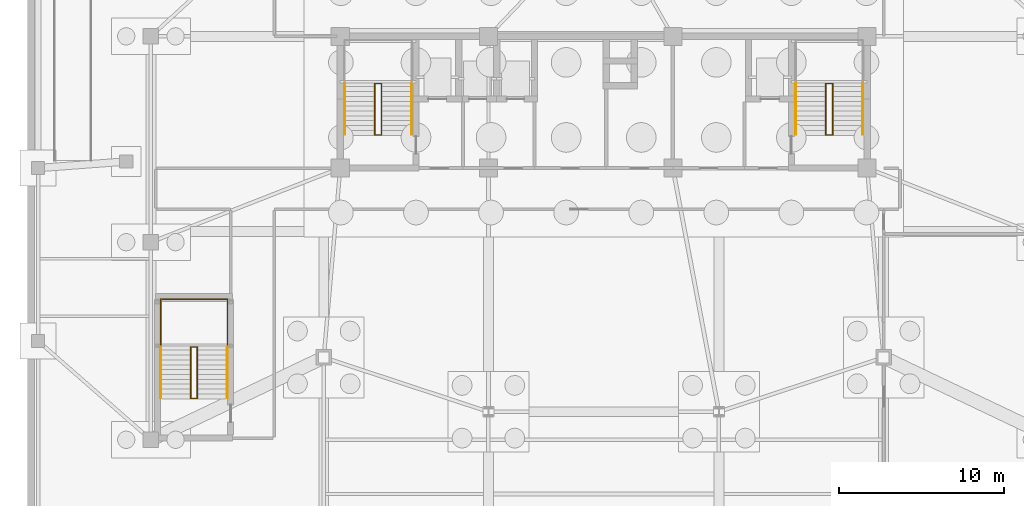
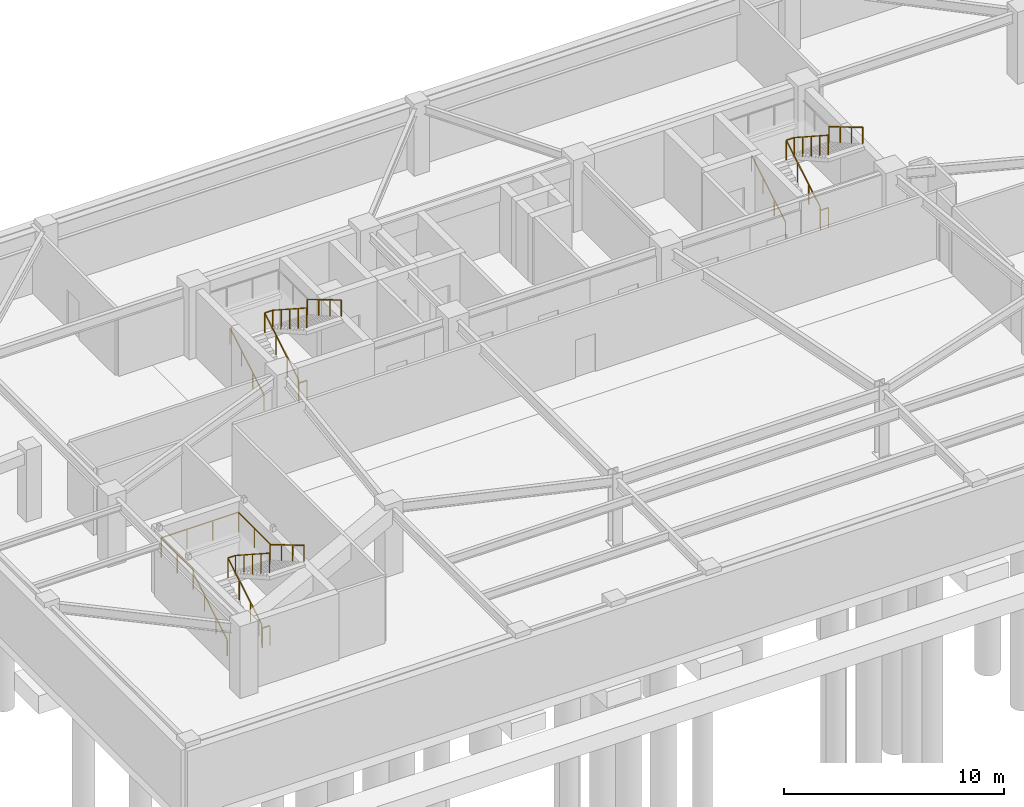
# One storey, part 8 of 10: 13 railings.
"""IFC4 building model written with IfcOpenShell, lengths in metres."""

from ifc_helpers import new_model, si_unit, direction, frame, origin, origin_2d, place, context, subcontext, project, spatial, rectangle, extrude, material, layer, layer_set, type_object, element, save


model = new_model("IFC4")

# Units and contexts
model_context = context("Model", 3, precision=1e-05, world=origin(), true_north=direction((0.0, 1.0)))
body_context = subcontext(model_context, "Body", "Model", "MODEL_VIEW")
ifc_project = project(units=[si_unit("LENGTHUNIT", "METRE"), si_unit("AREAUNIT", "SQUARE_METRE"), si_unit("VOLUMEUNIT", "CUBIC_METRE"), si_unit("PLANEANGLEUNIT", "RADIAN"), si_unit("MASSUNIT", "GRAM", prefix="KILO")], contexts=[model_context])

# Site, building, storey
site_placement = place(None, origin())
site = spatial("IfcSite", under=ifc_project, at=site_placement, CompositionType="ELEMENT")
building_placement = place(site_placement, origin())
building = spatial("IfcBuilding", under=site, at=building_placement, Name="Taldren Reach Tower", CompositionType="ELEMENT")
storey_placement = place(building_placement, frame((0.0, 0.0, -8.0)))
storey = spatial("IfcBuildingStorey", under=building, at=storey_placement, Name="B2", CompositionType="ELEMENT", Elevation=-8.0)

# Railings
ifc_material_1 = material(Name="Steel Gr 350 (C350L0)", Category="steel")
ifc_layer_1 = layer(ifc_material_1, 0.050048828125)
ifc_layer_set_1 = layer_set([ifc_layer_1], Name="Steel Gr 350 (C350L0)")
railing_type_1 = type_object("IfcRailingType", Name="RL-STAIR-GR", PredefinedType="GUARDRAIL", material=ifc_layer_set_1)
railing_1_placement = place(storey_placement, frame((21.090087890625, 26.050048828125, 0.166748046875)))
element("IfcRailing", 1, at=railing_1_placement, inside=storey, type_object=railing_type_1, Name="Stairwell inner guard ST1-B2", PredefinedType="GUARDRAIL", context=body_context, shape_type="SweptSolid", body=[
    extrude(rectangle(XDim=0.047852, YDim=0.047852, at=origin_2d()), frame((0.0, 0.0, 1.09619140625), z_axis=(0.0, 0.859664290046, 0.510859382238), x_axis=(-1.0, 0.0, 0.0)), (0.0, 0.0, 1.0), 3.588623046875),
    extrude(rectangle(XDim=0.047852, YDim=0.047852, at=origin_2d()), frame((0.0, 3.0849609375, 2.92919921875), z_axis=(1.0, 0.0, 0.0), x_axis=(0.0, 1.0, 0.0)), (0.0, 0.0, 1.0), 0.419921875),
    extrude(rectangle(XDim=0.047852, YDim=0.047852, at=origin_2d()), frame((0.419921875, 3.0849609375, 2.92919921875), z_axis=(0.0, -0.839092365422, 0.543988972581), x_axis=(1.0, 0.0, 0.0)), (0.0, 0.0, 1.0), 3.676513671875),
    extrude(rectangle(XDim=0.041992, YDim=0.041992, at=origin_2d()), origin(), (0.0, 0.0, 1.0), 1.072021484375),
    extrude(rectangle(XDim=0.041992, YDim=0.041992, at=origin_2d()), frame((0.0, 1.0283203125, 0.611083984375)), (0.0, 0.0, 1.0), 1.072021484375),
    extrude(rectangle(XDim=0.041992, YDim=0.041992, at=origin_2d()), frame((0.0, 2.056640625, 1.22216796875)), (0.0, 0.0, 1.0), 1.072021484375),
    extrude(rectangle(XDim=0.041992, YDim=0.041992, at=origin_2d()), frame((0.0, 3.0849609375, 1.833251953125)), (0.0, 0.0, 1.0), 1.072021484375),
    extrude(rectangle(XDim=0.041992, YDim=0.041992, at=origin_2d()), frame((0.419921875, 3.0849609375, 1.833251953125)), (0.0, 0.0, 1.0), 1.072021484375),
    extrude(rectangle(XDim=0.041992, YDim=0.041992, at=origin_2d()), frame((0.419921875, 2.313720703125, 2.333251953125)), (0.0, 0.0, 1.0), 1.072021484375),
    extrude(rectangle(XDim=0.041992, YDim=0.041992, at=origin_2d()), frame((0.419921875, 1.54248046875, 2.833251953125)), (0.0, 0.0, 1.0), 1.072021484375),
    extrude(rectangle(XDim=0.041992, YDim=0.041992, at=origin_2d()), frame((0.419921875, 0.771240234375, 3.333251953125)), (0.0, 0.0, 1.0), 1.072021484375),
    extrude(rectangle(XDim=0.041992, YDim=0.041992, at=origin_2d()), frame((0.419921875, 0.0, 3.833251953125)), (0.0, 0.0, 1.0), 1.072021484375),
])
railing_2_placement = place(storey_placement, frame((21.090087890625, 26.010009765625, 0.0)))
element("IfcRailing", 2, at=railing_2_placement, inside=storey, type_object=railing_type_1, Name="Stairwell landing slot guard ST1-B2", PredefinedType="GUARDRAIL", context=body_context, shape_type="SweptSolid", body=[
    extrude(rectangle(XDim=0.047852, YDim=0.047852, at=origin_2d()), frame((0.0, 0.0, 1.09619140625), z_axis=(1.0, 0.0, 0.0), x_axis=(0.0, 1.0, 0.0)), (0.0, 0.0, 1.0), 0.419921875),
    extrude(rectangle(XDim=0.041992, YDim=0.041992, at=origin_2d()), origin(), (0.0, 0.0, 1.0), 1.072021484375),
    extrude(rectangle(XDim=0.041992, YDim=0.041992, at=origin_2d()), frame((0.419921875, 0.0, 0.0)), (0.0, 0.0, 1.0), 1.072021484375),
])
railing_3_placement = place(storey_placement, frame((48.489990234375, 26.050048828125, 0.166748046875)))
element("IfcRailing", 3, at=railing_3_placement, inside=storey, type_object=railing_type_1, Name="Stairwell inner guard ST2-B2", PredefinedType="GUARDRAIL", context=body_context, shape_type="SweptSolid", body=[
    extrude(rectangle(XDim=0.047852, YDim=0.047852, at=origin_2d()), frame((0.0, 0.0, 1.09619140625), z_axis=(0.0, 0.859664290046, 0.510859382238), x_axis=(-1.0, 0.0, 0.0)), (0.0, 0.0, 1.0), 3.588623046875),
    extrude(rectangle(XDim=0.047852, YDim=0.047852, at=origin_2d()), frame((0.0, 3.0849609375, 2.92919921875), z_axis=(1.0, 0.0, 0.0), x_axis=(0.0, 1.0, 0.0)), (0.0, 0.0, 1.0), 0.419921875),
    extrude(rectangle(XDim=0.047852, YDim=0.047852, at=origin_2d()), frame((0.419921875, 3.0849609375, 2.92919921875), z_axis=(0.0, -0.839092365422, 0.543988972581), x_axis=(1.0, 0.0, 0.0)), (0.0, 0.0, 1.0), 3.676513671875),
    extrude(rectangle(XDim=0.041992, YDim=0.041992, at=origin_2d()), origin(), (0.0, 0.0, 1.0), 1.072021484375),
    extrude(rectangle(XDim=0.041992, YDim=0.041992, at=origin_2d()), frame((0.0, 1.0283203125, 0.611083984375)), (0.0, 0.0, 1.0), 1.072021484375),
    extrude(rectangle(XDim=0.041992, YDim=0.041992, at=origin_2d()), frame((0.0, 2.056640625, 1.22216796875)), (0.0, 0.0, 1.0), 1.072021484375),
    extrude(rectangle(XDim=0.041992, YDim=0.041992, at=origin_2d()), frame((0.0, 3.0849609375, 1.833251953125)), (0.0, 0.0, 1.0), 1.072021484375),
    extrude(rectangle(XDim=0.041992, YDim=0.041992, at=origin_2d()), frame((0.419921875, 3.0849609375, 1.833251953125)), (0.0, 0.0, 1.0), 1.072021484375),
    extrude(rectangle(XDim=0.041992, YDim=0.041992, at=origin_2d()), frame((0.419921875, 2.313720703125, 2.333251953125)), (0.0, 0.0, 1.0), 1.072021484375),
    extrude(rectangle(XDim=0.041992, YDim=0.041992, at=origin_2d()), frame((0.419921875, 1.54248046875, 2.833251953125)), (0.0, 0.0, 1.0), 1.072021484375),
    extrude(rectangle(XDim=0.041992, YDim=0.041992, at=origin_2d()), frame((0.419921875, 0.771240234375, 3.333251953125)), (0.0, 0.0, 1.0), 1.072021484375),
    extrude(rectangle(XDim=0.041992, YDim=0.041992, at=origin_2d()), frame((0.419921875, 0.0, 3.833251953125)), (0.0, 0.0, 1.0), 1.072021484375),
])
railing_4_placement = place(storey_placement, frame((48.489990234375, 26.010009765625, 0.0)))
element("IfcRailing", 4, at=railing_4_placement, inside=storey, type_object=railing_type_1, Name="Stairwell landing slot guard ST2-B2", PredefinedType="GUARDRAIL", context=body_context, shape_type="SweptSolid", body=[
    extrude(rectangle(XDim=0.047852, YDim=0.047852, at=origin_2d()), frame((0.0, 0.0, 1.09619140625), z_axis=(1.0, 0.0, 0.0), x_axis=(0.0, 1.0, 0.0)), (0.0, 0.0, 1.0), 0.419921875),
    extrude(rectangle(XDim=0.041992, YDim=0.041992, at=origin_2d()), origin(), (0.0, 0.0, 1.0), 1.072021484375),
    extrude(rectangle(XDim=0.041992, YDim=0.041992, at=origin_2d()), frame((0.419921875, 0.0, 0.0)), (0.0, 0.0, 1.0), 1.072021484375),
])
railing_5_placement = place(storey_placement, frame((8.090087890625, 13.135009765625, 2.0)))
element("IfcRailing", 5, at=railing_5_placement, inside=storey, type_object=railing_type_1, Name="Stair half-landing perimeter guard ST3-B2", PredefinedType="GUARDRAIL", context=body_context, shape_type="SweptSolid", body=[
    extrude(rectangle(XDim=0.047852, YDim=0.047852, at=origin_2d()), frame((0.0, 0.0, 1.09619140625), z_axis=(0.0, 1.0, 0.0), x_axis=(-1.0, 0.0, 0.0)), (0.0, 0.0, 1.0), 2.905029296875),
    extrude(rectangle(XDim=0.047852, YDim=0.047852, at=origin_2d()), frame((0.0, 2.905029296875, 1.09619140625), z_axis=(1.0, 0.0, 0.0), x_axis=(0.0, 1.0, 0.0)), (0.0, 0.0, 1.0), 4.059814453125),
    extrude(rectangle(XDim=0.047852, YDim=0.047852, at=origin_2d()), frame((4.059814453125, 2.905029296875, 1.09619140625), z_axis=(0.0, -1.0, 0.0), x_axis=(1.0, 0.0, 0.0)), (0.0, 0.0, 1.0), 2.905029296875),
    extrude(rectangle(XDim=0.041992, YDim=0.041992, at=origin_2d()), origin(), (0.0, 0.0, 1.0), 1.072021484375),
    extrude(rectangle(XDim=0.041992, YDim=0.041992, at=origin_2d()), frame((0.0, 1.45263671875, 0.0)), (0.0, 0.0, 1.0), 1.072021484375),
    extrude(rectangle(XDim=0.041992, YDim=0.041992, at=origin_2d()), frame((0.0, 2.905029296875, 0.0)), (0.0, 0.0, 1.0), 1.072021484375),
    extrude(rectangle(XDim=0.041992, YDim=0.041992, at=origin_2d()), frame((1.353271484375, 2.905029296875, 0.0)), (0.0, 0.0, 1.0), 1.072021484375),
    extrude(rectangle(XDim=0.041992, YDim=0.041992, at=origin_2d()), frame((2.70654296875, 2.905029296875, 0.0)), (0.0, 0.0, 1.0), 1.072021484375),
    extrude(rectangle(XDim=0.041992, YDim=0.041992, at=origin_2d()), frame((4.059814453125, 2.905029296875, 0.0)), (0.0, 0.0, 1.0), 1.072021484375),
    extrude(rectangle(XDim=0.041992, YDim=0.041992, at=origin_2d()), frame((4.059814453125, 1.45263671875, 0.0)), (0.0, 0.0, 1.0), 1.072021484375),
    extrude(rectangle(XDim=0.041992, YDim=0.041992, at=origin_2d()), frame((4.059814453125, 0.0, 0.0)), (0.0, 0.0, 1.0), 1.072021484375),
])
railing_6_placement = place(storey_placement, frame((9.919921875, 10.050048828125, 0.166748046875)))
element("IfcRailing", 6, at=railing_6_placement, inside=storey, type_object=railing_type_1, Name="Stairwell inner guard ST3-B2", PredefinedType="GUARDRAIL", context=body_context, shape_type="SweptSolid", body=[
    extrude(rectangle(XDim=0.047852, YDim=0.047852, at=origin_2d()), frame((0.0, 0.0, 1.09619140625), z_axis=(0.0, 0.859664290046, 0.510859382238), x_axis=(-1.0, 0.0, 0.0)), (0.0, 0.0, 1.0), 3.588623046875),
    extrude(rectangle(XDim=0.047852, YDim=0.047852, at=origin_2d()), frame((0.0, 3.0849609375, 2.92919921875), z_axis=(1.0, 0.0, 0.0), x_axis=(0.0, 1.0, 0.0)), (0.0, 0.0, 1.0), 0.400146484375),
    extrude(rectangle(XDim=0.047852, YDim=0.047852, at=origin_2d()), frame((0.400146484375, 3.0849609375, 2.92919921875), z_axis=(0.0, -0.839092365422, 0.543988972581), x_axis=(1.0, 0.0, 0.0)), (0.0, 0.0, 1.0), 3.676513671875),
    extrude(rectangle(XDim=0.041992, YDim=0.041992, at=origin_2d()), origin(), (0.0, 0.0, 1.0), 1.072021484375),
    extrude(rectangle(XDim=0.041992, YDim=0.041992, at=origin_2d()), frame((0.0, 1.0283203125, 0.611083984375)), (0.0, 0.0, 1.0), 1.072021484375),
    extrude(rectangle(XDim=0.041992, YDim=0.041992, at=origin_2d()), frame((0.0, 2.056640625, 1.22216796875)), (0.0, 0.0, 1.0), 1.072021484375),
    extrude(rectangle(XDim=0.041992, YDim=0.041992, at=origin_2d()), frame((0.0, 3.0849609375, 1.833251953125)), (0.0, 0.0, 1.0), 1.072021484375),
    extrude(rectangle(XDim=0.041992, YDim=0.041992, at=origin_2d()), frame((0.400146484375, 3.0849609375, 1.833251953125)), (0.0, 0.0, 1.0), 1.072021484375),
    extrude(rectangle(XDim=0.041992, YDim=0.041992, at=origin_2d()), frame((0.400146484375, 2.313720703125, 2.333251953125)), (0.0, 0.0, 1.0), 1.072021484375),
    extrude(rectangle(XDim=0.041992, YDim=0.041992, at=origin_2d()), frame((0.400146484375, 1.54248046875, 2.833251953125)), (0.0, 0.0, 1.0), 1.072021484375),
    extrude(rectangle(XDim=0.041992, YDim=0.041992, at=origin_2d()), frame((0.400146484375, 0.771240234375, 3.333251953125)), (0.0, 0.0, 1.0), 1.072021484375),
    extrude(rectangle(XDim=0.041992, YDim=0.041992, at=origin_2d()), frame((0.400146484375, 0.0, 3.833251953125)), (0.0, 0.0, 1.0), 1.072021484375),
])
railing_7_placement = place(storey_placement, frame((9.919921875, 10.010009765625, 0.0)))
element("IfcRailing", 7, at=railing_7_placement, inside=storey, type_object=railing_type_1, Name="Stairwell landing slot guard ST3-B2", PredefinedType="GUARDRAIL", context=body_context, shape_type="SweptSolid", body=[
    extrude(rectangle(XDim=0.047852, YDim=0.047852, at=origin_2d()), frame((0.0, 0.0, 1.09619140625), z_axis=(1.0, 0.0, 0.0), x_axis=(0.0, 1.0, 0.0)), (0.0, 0.0, 1.0), 0.400146484375),
    extrude(rectangle(XDim=0.041992, YDim=0.041992, at=origin_2d()), origin(), (0.0, 0.0, 1.0), 1.072021484375),
    extrude(rectangle(XDim=0.041992, YDim=0.041992, at=origin_2d()), frame((0.400146484375, 0.0, 0.0)), (0.0, 0.0, 1.0), 1.072021484375),
])
ifc_material_2 = material(Name="Stainless Steel Gr 316", Category="steel")
ifc_layer_2 = layer(ifc_material_2, 0.048095703125)
ifc_layer_set_2 = layer_set([ifc_layer_2], Name="Stainless Steel Gr 316")
railing_type_2 = type_object("IfcRailingType", Name="RL-STAIR-HR", PredefinedType="HANDRAIL", material=ifc_layer_set_2)
railing_8_placement = place(storey_placement, frame((19.27001953125, 26.050048828125, 0.166748046875)))
element("IfcRailing", 8, at=railing_8_placement, inside=storey, type_object=railing_type_2, Name="Stair flight handrail ST1-B2-1", PredefinedType="HANDRAIL", context=body_context, shape_type="SweptSolid", body=[
    extrude(rectangle(XDim=0.047852, YDim=0.047852, at=origin_2d()), frame((0.0, 0.0, 0.89599609375), z_axis=(0.0, 0.859664290046, 0.510859382238), x_axis=(-1.0, 0.0, 0.0)), (0.0, 0.0, 1.0), 3.588623046875),
    extrude(rectangle(XDim=0.041992, YDim=0.041992, at=origin_2d()), origin(), (0.0, 0.0, 1.0), 0.871826171875),
    extrude(rectangle(XDim=0.041992, YDim=0.041992, at=origin_2d()), frame((0.0, 1.0283203125, 0.611083984375)), (0.0, 0.0, 1.0), 0.871826171875),
    extrude(rectangle(XDim=0.041992, YDim=0.041992, at=origin_2d()), frame((0.0, 2.056640625, 1.22216796875)), (0.0, 0.0, 1.0), 0.871826171875),
    extrude(rectangle(XDim=0.041992, YDim=0.041992, at=origin_2d()), frame((0.0, 3.0849609375, 1.833251953125)), (0.0, 0.0, 1.0), 0.871826171875),
])
railing_9_placement = place(storey_placement, frame((23.330078125, 29.135009765625, 2.166748046875)))
element("IfcRailing", 9, at=railing_9_placement, inside=storey, type_object=railing_type_2, Name="Stair flight handrail ST1-B2-2", PredefinedType="HANDRAIL", context=body_context, shape_type="SweptSolid", body=[
    extrude(rectangle(XDim=0.047852, YDim=0.047852, at=origin_2d()), frame((0.0, 0.0, 0.89599609375), z_axis=(0.0, -0.859664290046, 0.510859382238), x_axis=(1.0, 0.0, 0.0)), (0.0, 0.0, 1.0), 3.588623046875),
    extrude(rectangle(XDim=0.041992, YDim=0.041992, at=origin_2d()), origin(), (0.0, 0.0, 1.0), 0.871826171875),
    extrude(rectangle(XDim=0.041992, YDim=0.041992, at=origin_2d()), frame((0.0, -1.0283203125, 0.611083984375)), (0.0, 0.0, 1.0), 0.871826171875),
    extrude(rectangle(XDim=0.041992, YDim=0.041992, at=origin_2d()), frame((0.0, -2.056640625, 1.22216796875)), (0.0, 0.0, 1.0), 0.871826171875),
    extrude(rectangle(XDim=0.041992, YDim=0.041992, at=origin_2d()), frame((0.0, -3.0849609375, 1.833251953125)), (0.0, 0.0, 1.0), 0.871826171875),
])
railing_10_placement = place(storey_placement, frame((46.669921875, 26.050048828125, 0.166748046875)))
element("IfcRailing", 10, at=railing_10_placement, inside=storey, type_object=railing_type_2, Name="Stair flight handrail ST2-B2-1", PredefinedType="HANDRAIL", context=body_context, shape_type="SweptSolid", body=[
    extrude(rectangle(XDim=0.047852, YDim=0.047852, at=origin_2d()), frame((0.0, 0.0, 0.89599609375), z_axis=(0.0, 0.859664290046, 0.510859382238), x_axis=(-1.0, 0.0, 0.0)), (0.0, 0.0, 1.0), 3.588623046875),
    extrude(rectangle(XDim=0.041992, YDim=0.041992, at=origin_2d()), origin(), (0.0, 0.0, 1.0), 0.871826171875),
    extrude(rectangle(XDim=0.041992, YDim=0.041992, at=origin_2d()), frame((0.0, 1.0283203125, 0.611083984375)), (0.0, 0.0, 1.0), 0.871826171875),
    extrude(rectangle(XDim=0.041992, YDim=0.041992, at=origin_2d()), frame((0.0, 2.056640625, 1.22216796875)), (0.0, 0.0, 1.0), 0.871826171875),
    extrude(rectangle(XDim=0.041992, YDim=0.041992, at=origin_2d()), frame((0.0, 3.0849609375, 1.833251953125)), (0.0, 0.0, 1.0), 0.871826171875),
])
railing_11_placement = place(storey_placement, frame((50.72998046875, 29.135009765625, 2.166748046875)))
element("IfcRailing", 11, at=railing_11_placement, inside=storey, type_object=railing_type_2, Name="Stair flight handrail ST2-B2-2", PredefinedType="HANDRAIL", context=body_context, shape_type="SweptSolid", body=[
    extrude(rectangle(XDim=0.047852, YDim=0.047852, at=origin_2d()), frame((0.0, 0.0, 0.89599609375), z_axis=(0.0, -0.859664290046, 0.510859382238), x_axis=(1.0, 0.0, 0.0)), (0.0, 0.0, 1.0), 3.588623046875),
    extrude(rectangle(XDim=0.041992, YDim=0.041992, at=origin_2d()), origin(), (0.0, 0.0, 1.0), 0.871826171875),
    extrude(rectangle(XDim=0.041992, YDim=0.041992, at=origin_2d()), frame((0.0, -1.0283203125, 0.611083984375)), (0.0, 0.0, 1.0), 0.871826171875),
    extrude(rectangle(XDim=0.041992, YDim=0.041992, at=origin_2d()), frame((0.0, -2.056640625, 1.22216796875)), (0.0, 0.0, 1.0), 0.871826171875),
    extrude(rectangle(XDim=0.041992, YDim=0.041992, at=origin_2d()), frame((0.0, -3.0849609375, 1.833251953125)), (0.0, 0.0, 1.0), 0.871826171875),
])
railing_12_placement = place(storey_placement, frame((8.10009765625, 10.050048828125, 0.166748046875)))
element("IfcRailing", 12, at=railing_12_placement, inside=storey, type_object=railing_type_2, Name="Stair flight handrail ST3-B2-1", PredefinedType="HANDRAIL", context=body_context, shape_type="SweptSolid", body=[
    extrude(rectangle(XDim=0.047852, YDim=0.047852, at=origin_2d()), frame((0.0, 0.0, 0.89599609375), z_axis=(0.0, 0.859664290046, 0.510859382238), x_axis=(-1.0, 0.0, 0.0)), (0.0, 0.0, 1.0), 3.588623046875),
    extrude(rectangle(XDim=0.041992, YDim=0.041992, at=origin_2d()), origin(), (0.0, 0.0, 1.0), 0.871826171875),
    extrude(rectangle(XDim=0.041992, YDim=0.041992, at=origin_2d()), frame((0.0, 1.0283203125, 0.611083984375)), (0.0, 0.0, 1.0), 0.871826171875),
    extrude(rectangle(XDim=0.041992, YDim=0.041992, at=origin_2d()), frame((0.0, 2.056640625, 1.22216796875)), (0.0, 0.0, 1.0), 0.871826171875),
    extrude(rectangle(XDim=0.041992, YDim=0.041992, at=origin_2d()), frame((0.0, 3.0849609375, 1.833251953125)), (0.0, 0.0, 1.0), 0.871826171875),
])
railing_13_placement = place(storey_placement, frame((12.139892578125, 13.135009765625, 2.166748046875)))
element("IfcRailing", 13, at=railing_13_placement, inside=storey, type_object=railing_type_2, Name="Stair flight handrail ST3-B2-2", PredefinedType="HANDRAIL", context=body_context, shape_type="SweptSolid", body=[
    extrude(rectangle(XDim=0.047852, YDim=0.047852, at=origin_2d()), frame((0.0, 0.0, 0.89599609375), z_axis=(0.0, -0.859664290046, 0.510859382238), x_axis=(1.0, 0.0, 0.0)), (0.0, 0.0, 1.0), 3.588623046875),
    extrude(rectangle(XDim=0.041992, YDim=0.041992, at=origin_2d()), origin(), (0.0, 0.0, 1.0), 0.871826171875),
    extrude(rectangle(XDim=0.041992, YDim=0.041992, at=origin_2d()), frame((0.0, -1.0283203125, 0.611083984375)), (0.0, 0.0, 1.0), 0.871826171875),
    extrude(rectangle(XDim=0.041992, YDim=0.041992, at=origin_2d()), frame((0.0, -2.056640625, 1.22216796875)), (0.0, 0.0, 1.0), 0.871826171875),
    extrude(rectangle(XDim=0.041992, YDim=0.041992, at=origin_2d()), frame((0.0, -3.0849609375, 1.833251953125)), (0.0, 0.0, 1.0), 0.871826171875),
])

save(model, "model.ifc")
